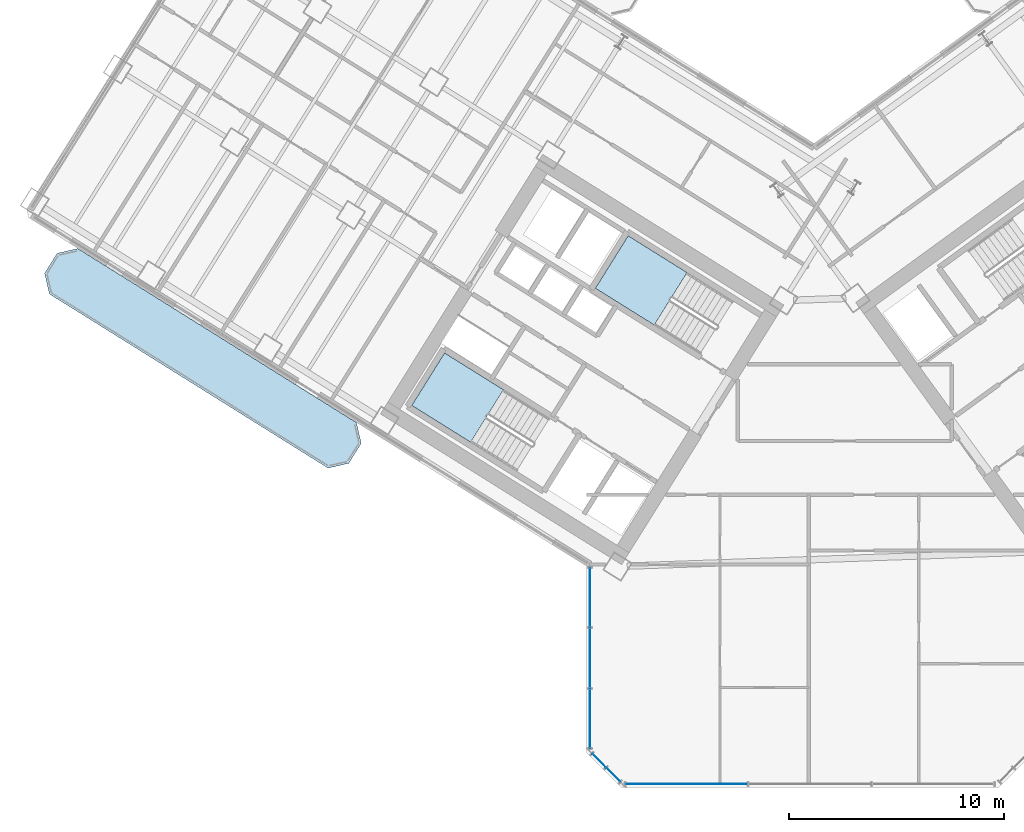
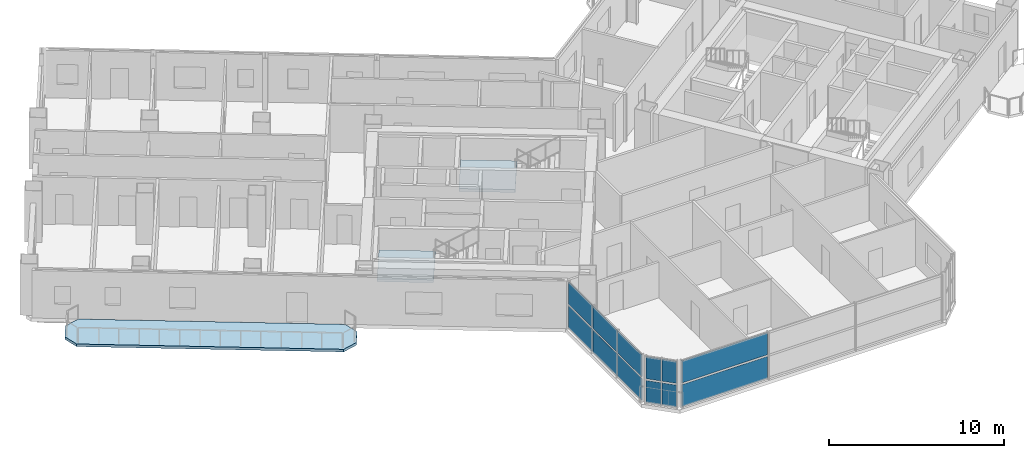
# One storey, part 8 of 21: 12 plates, 3 slabs, 5 elements without a shape of their own.
"""IFC4 building model written with IfcOpenShell, lengths in metres."""

from ifc_helpers import new_model, si_unit, direction, frame, origin, origin_2d, place, context, subcontext, project, spatial, polyline, rectangle, outline, extrude, source, transform, mapped, material, layer, layer_set, type_object, element, aggregate, save


model = new_model("IFC4")

# Units and contexts
model_context = context("Model", 3, precision=1e-05, world=origin(), true_north=direction((0.0, 1.0)))
body_context = subcontext(model_context, "Body", "Model", "MODEL_VIEW")
ifc_project = project(units=[si_unit("LENGTHUNIT", "METRE"), si_unit("AREAUNIT", "SQUARE_METRE"), si_unit("VOLUMEUNIT", "CUBIC_METRE"), si_unit("PLANEANGLEUNIT", "RADIAN"), si_unit("MASSUNIT", "GRAM", prefix="KILO")], contexts=[model_context])

# Site, building, storey
site_placement = place(None, origin())
site = spatial("IfcSite", under=ifc_project, at=site_placement, CompositionType="ELEMENT")
building_placement = place(site_placement, origin())
building = spatial("IfcBuilding", under=site, at=building_placement, Name="Tlacorven Tower", CompositionType="ELEMENT")
storey_placement = place(building_placement, frame((0.0, 0.0, 81.0)))
storey = spatial("IfcBuildingStorey", under=building, at=storey_placement, Name="L20", CompositionType="ELEMENT", Elevation=81.0)

# Slab
ifc_material_1 = material(Name="Precast concrete C45/55", Category="concrete")
ifc_layer_1 = layer(ifc_material_1, 0.179931640625)
ifc_layer_set_1 = layer_set([ifc_layer_1], Name="Precast concrete C45/55")
slab_type_1 = type_object("IfcSlabType", Name="SL-BAL-180", PredefinedType="USERDEFINED", material=ifc_layer_set_1)
slab_1_placement = place(storey_placement, frame((0.0, 0.0, -0.179931640625)))
element("IfcSlab", 1, at=slab_1_placement, inside=storey, type_object=slab_type_1, Name="L20 West Wing Balcony Ribbon OUT", ObjectType="BALCONY SLAB", PredefinedType="USERDEFINED", context=body_context, shape_type="SweptSolid", body=[
    extrude(outline(polyline([(20.88671875, 18.78271484375), (7.91162109375, 26.890625), (6.947021484375, 26.66796875), (6.366943359375, 25.7392578125), (6.589599609375, 24.774658203125), (19.564697265625, 16.6669921875), (20.529296875, 16.8896484375), (21.109375, 17.818115234375), (20.88671875, 18.78271484375)])), origin(), (0.0, 0.0, 1.0), 0.179931640625),
])

# Stair, slab
ifc_material_2 = material(Name="Concrete C40/50", Category="concrete")
stair_type = type_object("IfcStairType", Name="ST-CORE-DLG", PredefinedType="HALF_TURN_STAIR", material=ifc_material_2)
stair_1_placement = place(storey_placement, origin())
stair_1 = element("IfcStair", 2, at=stair_1_placement, inside=storey, type_object=stair_type, Name="L20 Protected Exit Stair West 1", PredefinedType="HALF_TURN_STAIR")
ifc_layer_2 = layer(ifc_material_2, 0.199951171875)
ifc_layer_set_2 = layer_set([ifc_layer_2], Name="Concrete C40/50")
slab_type_2 = type_object("IfcSlabType", Name="SL-LND-200", PredefinedType="LANDING", material=ifc_layer_set_2)
slab_2_placement = place(storey_placement, frame((0.0, 0.0, 1.60009765625)))
slab_2 = element("IfcSlab", 3, at=slab_2_placement, type_object=slab_type_2, Name="ST-W1 landing 1", PredefinedType="LANDING", context=body_context, shape_type="SweptSolid", body=[
    extrude(outline(polyline([(27.728515625, 20.315185546875), (24.9892578125, 22.02685546875), (23.463134765625, 19.58447265625), (26.2021484375, 17.872802734375), (27.728515625, 20.315185546875)])), origin(), (0.0, 0.0, 1.0), 0.199951171875),
])
aggregate(stair_1, [slab_2])

stair_2_placement = place(storey_placement, origin())
stair_2 = element("IfcStair", 4, at=stair_2_placement, inside=storey, type_object=stair_type, Name="L20 Protected Exit Stair West 2", PredefinedType="HALF_TURN_STAIR")
slab_3_placement = place(storey_placement, frame((0.0, 0.0, 1.60009765625)))
slab_3 = element("IfcSlab", 5, at=slab_3_placement, type_object=slab_type_2, Name="ST-W2 landing 1", PredefinedType="LANDING", context=body_context, shape_type="SweptSolid", body=[
    extrude(outline(polyline([(36.280029296875, 25.772705078125), (33.540771484375, 27.484375), (32.0146484375, 25.0419921875), (34.75390625, 23.33056640625), (36.280029296875, 25.772705078125)])), origin(), (0.0, 0.0, 1.0), 0.199951171875),
])
aggregate(stair_2, [slab_3])

# Curtain wall, plates
ifc_material_3 = material(Name="Dark solar low-E double glazing in aluminium frame", Category="aluminium")
curtain_wall_type = type_object("IfcCurtainWallType", Name="CW-TWR-LOW", PredefinedType="USERDEFINED", material=ifc_material_3)
curtain_wall_1_placement = place(storey_placement, origin())
curtain_wall_1 = element("IfcCurtainWall", 6, at=curtain_wall_1_placement, inside=storey, type_object=curtain_wall_type, Name="L20 CW-TWR-LOW Curtain Wall 109", ObjectType="UNITISED CURTAIN WALL", PredefinedType="USERDEFINED")
ifc_material_4 = material(Name="Dark solar double low-E glazing", Category="glass")
ifc_layer_3 = layer(ifc_material_4, 0.031982421875)
ifc_layer_set_3 = layer_set([ifc_layer_3], Name="Dark solar double low-E glazing")
plate_type = type_object("IfcPlateType", Name="CWP-02", PredefinedType="CURTAIN_PANEL", material=ifc_layer_set_3)
shared_shape_1 = source(origin(), body_context, "Body", "SweptSolid", [
    extrude(rectangle(XDim=0.878173828125, YDim=0.031982421875, at=origin_2d()), origin(), (0.0, 0.0, 1.0), 1.5380859375),
])
plate_1_placement = place(storey_placement, frame((32.842041015625, 2.38427734375, 0.06103515625), z_axis=(0.0, 0.0, 1.0), x_axis=(-0.707106781187, 0.707106781187, 0.0)))
plate_1 = element("IfcPlate", 7, at=plate_1_placement, type_object=plate_type, Name="CW-L20-109 Glazing Panel 1", PredefinedType="CURTAIN_PANEL", context=body_context, shape_type="MappedRepresentation", body=[
    mapped(shared_shape_1, transform((0.0, 0.0, 0.0), scale=1.0)),
])
plate_2_placement = place(storey_placement, frame((32.842041015625, 2.38427734375, 1.720947265625), z_axis=(0.0, 0.0, 1.0), x_axis=(-0.707106781187, 0.707106781187, 0.0)))
plate_2 = element("IfcPlate", 8, at=plate_2_placement, type_object=plate_type, Name="CW-L20-109 Glazing Panel 2", PredefinedType="CURTAIN_PANEL", context=body_context, shape_type="MappedRepresentation", body=[
    mapped(shared_shape_1, transform((0.0, 0.0, 0.0), scale=1.0)),
])
plate_3_placement = place(storey_placement, frame((32.184326171875, 3.0419921875, 0.06103515625), z_axis=(0.0, 0.0, 1.0), x_axis=(-0.707106781187, 0.707106781187, 0.0)))
plate_3 = element("IfcPlate", 9, at=plate_3_placement, type_object=plate_type, Name="CW-L20-109 Glazing Panel 3", PredefinedType="CURTAIN_PANEL", context=body_context, shape_type="MappedRepresentation", body=[
    mapped(shared_shape_1, transform((0.0, 0.0, 0.0), scale=1.0)),
])
plate_4_placement = place(storey_placement, frame((32.184326171875, 3.0419921875, 1.720947265625), z_axis=(0.0, 0.0, 1.0), x_axis=(-0.707106781187, 0.707106781187, 0.0)))
plate_4 = element("IfcPlate", 10, at=plate_4_placement, type_object=plate_type, Name="CW-L20-109 Glazing Panel 4", PredefinedType="CURTAIN_PANEL", context=body_context, shape_type="MappedRepresentation", body=[
    mapped(shared_shape_1, transform((0.0, 0.0, 0.0), scale=1.0)),
])
aggregate(curtain_wall_1, [plate_1, plate_2, plate_3, plate_4])

curtain_wall_2_placement = place(storey_placement, origin())
curtain_wall_2 = element("IfcCurtainWall", 11, at=curtain_wall_2_placement, inside=storey, type_object=curtain_wall_type, Name="L20 CW-TWR-LOW Curtain Wall 108", ObjectType="UNITISED CURTAIN WALL", PredefinedType="USERDEFINED")
shared_shape_2 = source(origin(), body_context, "Body", "SweptSolid", [
    extrude(rectangle(XDim=5.668701171875, YDim=0.031982421875, at=origin_2d()), origin(), (0.0, 0.0, 1.0), 1.5380859375),
])
plate_5_placement = place(storey_placement, frame((36.26171875, 1.9599609375, 0.06103515625), z_axis=(0.0, 0.0, 1.0), x_axis=(-1.0, 0.0, 0.0)))
plate_5 = element("IfcPlate", 12, at=plate_5_placement, type_object=plate_type, Name="CW-L20-108 Glazing Panel 5", PredefinedType="CURTAIN_PANEL", context=body_context, shape_type="MappedRepresentation", body=[
    mapped(shared_shape_2, transform((0.0, 0.0, 0.0), scale=1.0)),
])
plate_6_placement = place(storey_placement, frame((36.26171875, 1.9599609375, 1.720947265625), z_axis=(0.0, 0.0, 1.0), x_axis=(-1.0, 0.0, 0.0)))
plate_6 = element("IfcPlate", 13, at=plate_6_placement, type_object=plate_type, Name="CW-L20-108 Glazing Panel 6", PredefinedType="CURTAIN_PANEL", context=body_context, shape_type="MappedRepresentation", body=[
    mapped(shared_shape_2, transform((0.0, 0.0, 0.0), scale=1.0)),
])
aggregate(curtain_wall_2, [plate_5, plate_6])

curtain_wall_3_placement = place(storey_placement, origin())
curtain_wall_3 = element("IfcCurtainWall", 14, at=curtain_wall_3_placement, inside=storey, type_object=curtain_wall_type, Name="L20 CW-TWR-LOW Curtain Wall 110", ObjectType="UNITISED CURTAIN WALL", PredefinedType="USERDEFINED")
shared_shape_3 = source(origin(), body_context, "Body", "SweptSolid", [
    extrude(rectangle(XDim=2.751953125, YDim=0.031982421875, at=origin_2d()), origin(), (0.0, 0.0, 1.0), 1.5380859375),
])
plate_7_placement = place(storey_placement, frame((31.760009765625, 5.003173828125, 0.06103515625), z_axis=(0.0, 0.0, 1.0), x_axis=(0.0, 1.0, 0.0)))
plate_7 = element("IfcPlate", 15, at=plate_7_placement, type_object=plate_type, Name="CW-L20-110 Glazing Panel 1", PredefinedType="CURTAIN_PANEL", context=body_context, shape_type="MappedRepresentation", body=[
    mapped(shared_shape_3, transform((0.0, 0.0, 0.0), scale=1.0)),
])
plate_8_placement = place(storey_placement, frame((31.760009765625, 5.003173828125, 1.720947265625), z_axis=(0.0, 0.0, 1.0), x_axis=(0.0, 1.0, 0.0)))
plate_8 = element("IfcPlate", 16, at=plate_8_placement, type_object=plate_type, Name="CW-L20-110 Glazing Panel 2", PredefinedType="CURTAIN_PANEL", context=body_context, shape_type="MappedRepresentation", body=[
    mapped(shared_shape_3, transform((0.0, 0.0, 0.0), scale=1.0)),
])
plate_9_placement = place(storey_placement, frame((31.760009765625, 10.64599609375, 0.06103515625), z_axis=(0.0, 0.0, 1.0), x_axis=(0.0, 1.0, 0.0)))
plate_9 = element("IfcPlate", 17, at=plate_9_placement, type_object=plate_type, Name="CW-L20-110 Glazing Panel 5", PredefinedType="CURTAIN_PANEL", context=body_context, shape_type="MappedRepresentation", body=[
    mapped(shared_shape_3, transform((0.0, 0.0, 0.0), scale=1.0)),
])
plate_10_placement = place(storey_placement, frame((31.760009765625, 10.64599609375, 1.720947265625), z_axis=(0.0, 0.0, 1.0), x_axis=(0.0, 1.0, 0.0)))
plate_10 = element("IfcPlate", 18, at=plate_10_placement, type_object=plate_type, Name="CW-L20-110 Glazing Panel 6", PredefinedType="CURTAIN_PANEL", context=body_context, shape_type="MappedRepresentation", body=[
    mapped(shared_shape_3, transform((0.0, 0.0, 0.0), scale=1.0)),
])
shared_shape_4 = source(origin(), body_context, "Body", "SweptSolid", [
    extrude(rectangle(XDim=2.786865234375, YDim=0.031982421875, at=origin_2d()), origin(), (0.0, 0.0, 1.0), 1.5380859375),
])
plate_11_placement = place(storey_placement, frame((31.760009765625, 7.82470703125, 0.06103515625), z_axis=(0.0, 0.0, 1.0), x_axis=(0.0, 1.0, 0.0)))
plate_11 = element("IfcPlate", 19, at=plate_11_placement, type_object=plate_type, Name="CW-L20-110 Glazing Panel 3", PredefinedType="CURTAIN_PANEL", context=body_context, shape_type="MappedRepresentation", body=[
    mapped(shared_shape_4, transform((0.0, 0.0, 0.0), scale=1.0)),
])
plate_12_placement = place(storey_placement, frame((31.760009765625, 7.82470703125, 1.720947265625), z_axis=(0.0, 0.0, 1.0), x_axis=(0.0, 1.0, 0.0)))
plate_12 = element("IfcPlate", 20, at=plate_12_placement, type_object=plate_type, Name="CW-L20-110 Glazing Panel 4", PredefinedType="CURTAIN_PANEL", context=body_context, shape_type="MappedRepresentation", body=[
    mapped(shared_shape_4, transform((0.0, 0.0, 0.0), scale=1.0)),
])
aggregate(curtain_wall_3, [plate_7, plate_8, plate_11, plate_12, plate_9, plate_10])

save(model, "model.ifc")
